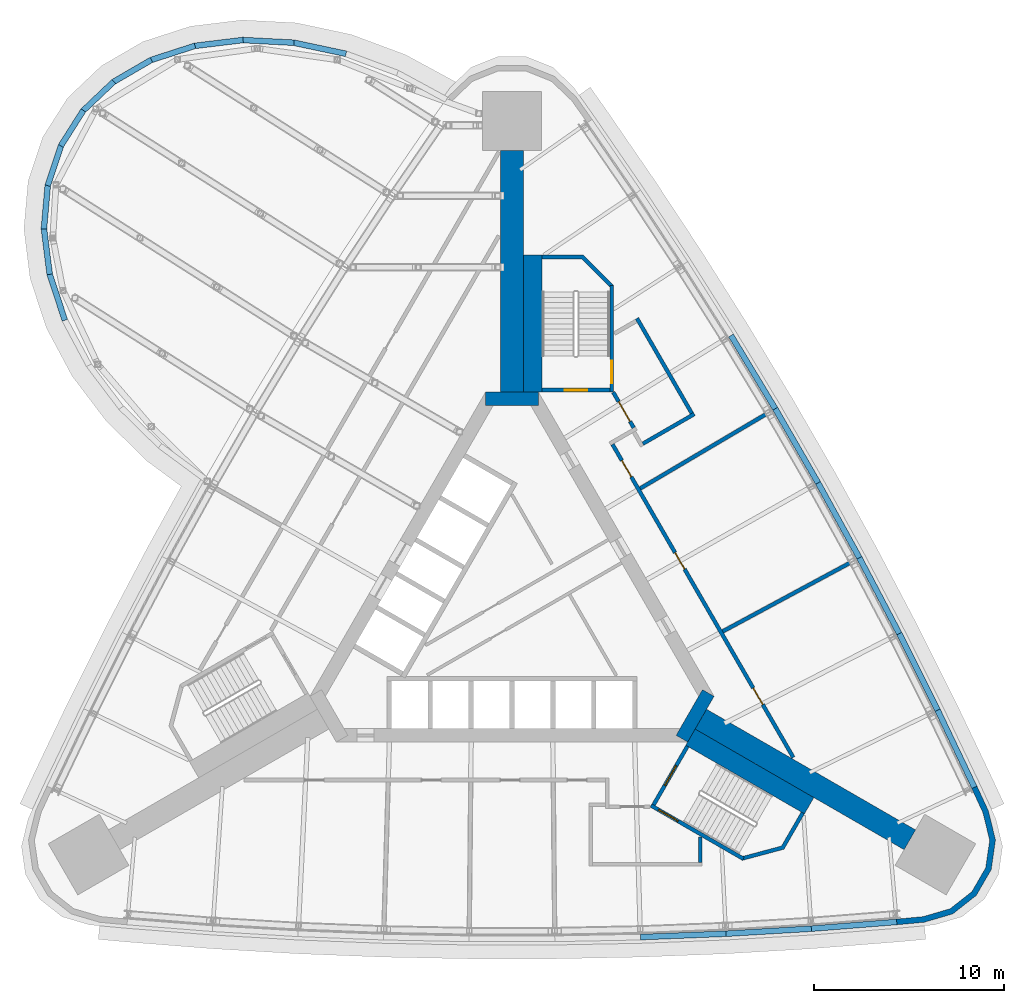
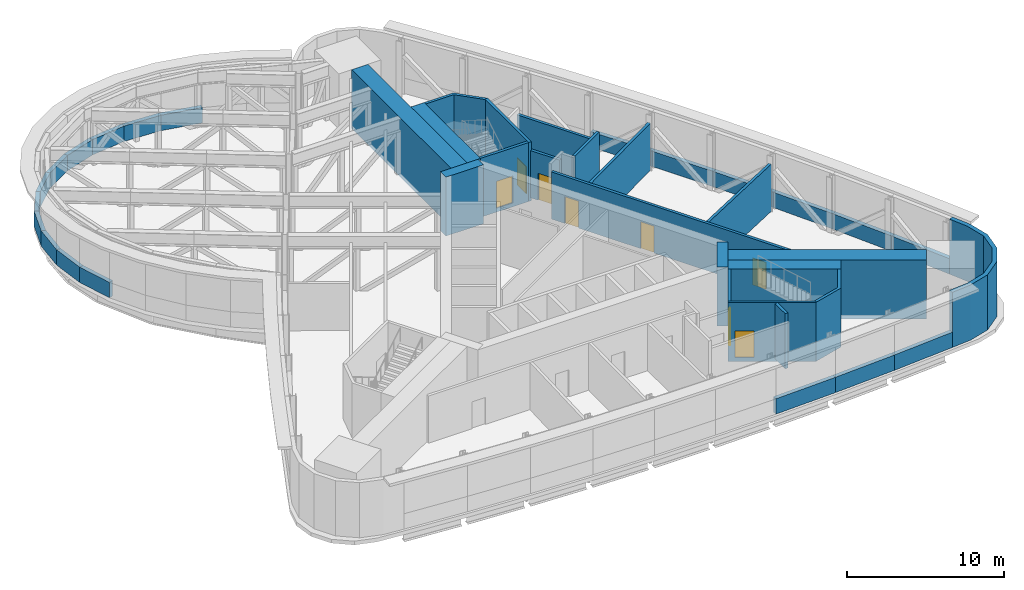
# One storey, part 8 of 11: 40 walls, 8 doors, 8 openings.
"""IFC4 building model written with IfcOpenShell, lengths in metres."""

from ifc_helpers import new_model, si_unit, direction, frame, frame_2d, origin, place, context, subcontext, project, spatial, polyline, rectangle, outline, extrude, material, layer, layer_set, type_object, element, fill, save


model = new_model("IFC4")

# Units and contexts
model_context = context("Model", 3, precision=1e-05, world=origin(), true_north=direction((0.0, 1.0)))
body_context = subcontext(model_context, "Body", "Model", "MODEL_VIEW")
ifc_project = project(units=[si_unit("LENGTHUNIT", "METRE"), si_unit("AREAUNIT", "SQUARE_METRE"), si_unit("VOLUMEUNIT", "CUBIC_METRE"), si_unit("PLANEANGLEUNIT", "RADIAN"), si_unit("MASSUNIT", "GRAM", prefix="KILO")], contexts=[model_context])

# Site, building, storey
site_placement = place(None, origin())
site = spatial("IfcSite", under=ifc_project, at=site_placement, CompositionType="ELEMENT")
building_placement = place(site_placement, origin())
building = spatial("IfcBuilding", under=site, at=building_placement, Name="Noor Cloister Tower", CompositionType="ELEMENT")
storey_placement = place(building_placement, frame((0.0, 0.0, 87.0)))
storey = spatial("IfcBuildingStorey", under=building, at=storey_placement, Name="L22", CompositionType="ELEMENT", Elevation=87.0)

# Walls
ifc_material_1 = material(Name="Concrete C80/95", Category="concrete")
ifc_layer_1 = layer(ifc_material_1, 1.199951171875)
ifc_layer_set_1 = layer_set([ifc_layer_1], Name="Buttress wall 1200 C80/95")
wall_type_1 = type_object("IfcWallType", Name="Buttress wall 1200 C80/95", PredefinedType="SHEAR", material=ifc_layer_set_1)
wall_1_placement = place(storey_placement, frame((0.0, 11.456298828125, -0.300048828125), z_axis=(0.0, 0.0, 1.0), x_axis=(0.0, 1.0, 0.0)))
element("IfcWall", 1, at=wall_1_placement, inside=storey, type_object=wall_type_1, Name="Buttress wall N L22", PredefinedType="SHEAR", context=body_context, shape_type="SweptSolid", body=[
    extrude(rectangle(XDim=12.677734375, YDim=1.199951171875, at=frame_2d((6.3388671875, 0.0))), origin(), (0.0, 0.0, 1.0), 4.60009765625),
])
wall_2_placement = place(storey_placement, frame((9.921630859375, -5.728271484375, -0.300048828125), z_axis=(0.0, 0.0, 1.0), x_axis=(0.866029086277, -0.499993621681, 0.0)))
element("IfcWall", 2, at=wall_2_placement, inside=storey, type_object=wall_type_1, Name="Buttress wall SE L22", PredefinedType="SHEAR", context=body_context, shape_type="SweptSolid", body=[
    extrude(rectangle(XDim=12.677490234375, YDim=1.199951171875, at=frame_2d((6.3388671875, 0.0))), origin(), (0.0, 0.0, 1.0), 4.60009765625),
])
ifc_material_2 = material(Name="Concrete C80/95", Category="concrete")
ifc_layer_2 = layer(ifc_material_2, 0.699951171875)
ifc_layer_set_2 = layer_set([ifc_layer_2], Name="Core wall 700 C80/95")
wall_type_2 = type_object("IfcWallType", Name="Core wall 700 C80/95", PredefinedType="SHEAR", material=ifc_layer_set_2)
wall_3_placement = place(storey_placement, frame((8.925537109375, -6.753173828125, -0.300048828125), z_axis=(0.0, 0.0, 1.0), x_axis=(0.500042739161, 0.866000726912, 0.0)))
element("IfcWall", 3, at=wall_3_placement, inside=storey, type_object=wall_type_2, Name="Core wall L22 2", PredefinedType="SHEAR", context=body_context, shape_type="SweptSolid", body=[
    extrude(rectangle(XDim=2.771240234375, YDim=0.699951171875, at=frame_2d((1.3857421875, 0.0))), origin(), (0.0, 0.0, 1.0), 4.60009765625),
])
wall_4_placement = place(storey_placement, frame((1.3857421875, 11.1064453125, -0.300048828125), z_axis=(0.0, 0.0, 1.0), x_axis=(-1.0, 0.0, 0.0)))
element("IfcWall", 4, at=wall_4_placement, inside=storey, type_object=wall_type_2, Name="Core wall L22 4", PredefinedType="SHEAR", context=body_context, shape_type="SweptSolid", body=[
    extrude(rectangle(XDim=2.771484375, YDim=0.699951171875, at=frame_2d((1.3857421875, 0.0))), origin(), (0.0, 0.0, 1.0), 4.60009765625),
])
ifc_material_3 = material(Name="Limestone", Category="masonry")
ifc_layer_3 = layer(ifc_material_3, 0.300048828125)
ifc_layer_set_3 = layer_set([ifc_layer_3], Name="Limestone cladding 300")
wall_type_3 = type_object("IfcWallType", Name="Limestone cladding 300", PredefinedType="NOTDEFINED", material=ifc_layer_set_3)
wall_5_placement = place(storey_placement, origin())
element("IfcWall", 5, at=wall_5_placement, inside=storey, type_object=wall_type_3, Name="Limestone pier cladding L22 2.1", PredefinedType="NOTDEFINED", context=body_context, shape_type="SweptSolid", body=[
    extrude(outline(polyline([(20.2236328125, -16.53125), (21.65380859375, -16.399658203125), (23.1591796875, -15.958251953125), (24.392333984375, -14.988525390625), (25.1767578125, -13.630126953125), (25.399658203125, -12.077392578125), (25.029541015625, -10.552978515625), (24.42822265625, -9.24853515625), (24.15576171875, -9.3740234375), (24.744873046875, -10.652099609375), (25.094482421875, -12.092041015625), (24.887939453125, -13.5302734375), (24.161376953125, -14.78857421875), (23.019287109375, -15.6865234375), (21.597412109375, -16.103515625), (20.196044921875, -16.232421875), (20.2236328125, -16.53125)])), origin(), (0.0, 0.0, 1.0), 4.300048828125),
])
ifc_material_4 = material(Name="Limestone", Category="masonry")
ifc_layer_4 = layer(ifc_material_4, 0.300048828125)
ifc_layer_set_4 = layer_set([ifc_layer_4], Name="Limestone panel wall 300")
wall_type_4 = type_object("IfcWallType", Name="Limestone panel wall 300", PredefinedType="NOTDEFINED", material=ifc_layer_set_4)
wall_6_placement = place(storey_placement, origin())
element("IfcWall", 6, at=wall_6_placement, inside=storey, type_object=wall_type_4, Name="Limestone panel wall L22 1.3", PredefinedType="NOTDEFINED", context=body_context, shape_type="SweptSolid", body=[
    extrude(outline(polyline([(-8.68701171875, 29.370849609375), (-11.445556640625, 29.9580078125), (-11.508056640625, 29.66455078125), (-8.74951171875, 29.077392578125), (-8.68701171875, 29.370849609375)])), origin(), (0.0, 0.0, 1.0), 1.199951171875),
])
wall_7_placement = place(storey_placement, origin())
element("IfcWall", 7, at=wall_7_placement, inside=storey, type_object=wall_type_4, Name="Limestone panel wall L22 1.4", PredefinedType="NOTDEFINED", context=body_context, shape_type="SweptSolid", body=[
    extrude(outline(polyline([(-11.445556640625, 29.9580078125), (-14.147705078125, 30.098876953125), (-14.163330078125, 29.79931640625), (-11.461181640625, 29.658447265625), (-11.445556640625, 29.9580078125)])), origin(), (0.0, 0.0, 1.0), 1.199951171875),
])
wall_8_placement = place(storey_placement, origin())
element("IfcWall", 8, at=wall_8_placement, inside=storey, type_object=wall_type_4, Name="Limestone panel wall L22 1.5", PredefinedType="NOTDEFINED", context=body_context, shape_type="SweptSolid", body=[
    extrude(outline(polyline([(-14.147705078125, 30.098876953125), (-16.70166015625, 29.7890625), (-16.66552734375, 29.4912109375), (-14.111572265625, 29.80126953125), (-14.147705078125, 30.098876953125)])), origin(), (0.0, 0.0, 1.0), 1.199951171875),
])
wall_9_placement = place(storey_placement, origin())
element("IfcWall", 9, at=wall_9_placement, inside=storey, type_object=wall_type_4, Name="Limestone panel wall L22 1.6", PredefinedType="NOTDEFINED", context=body_context, shape_type="SweptSolid", body=[
    extrude(outline(polyline([(-16.70166015625, 29.7890625), (-19.02001953125, 29.03857421875), (-18.927734375, 28.753173828125), (-16.609130859375, 29.50341796875), (-16.70166015625, 29.7890625)])), origin(), (0.0, 0.0, 1.0), 1.199951171875),
])
wall_10_placement = place(storey_placement, origin())
element("IfcWall", 10, at=wall_10_placement, inside=storey, type_object=wall_type_4, Name="Limestone panel wall L22 1.7", PredefinedType="NOTDEFINED", context=body_context, shape_type="SweptSolid", body=[
    extrude(outline(polyline([(-19.02001953125, 29.03857421875), (-21.0244140625, 27.873291015625), (-20.87353515625, 27.61376953125), (-18.869384765625, 28.779052734375), (-19.02001953125, 29.03857421875)])), origin(), (0.0, 0.0, 1.0), 1.199951171875),
])
wall_11_placement = place(storey_placement, origin())
element("IfcWall", 11, at=wall_11_placement, inside=storey, type_object=wall_type_4, Name="Limestone panel wall L22 1.8", PredefinedType="NOTDEFINED", context=body_context, shape_type="SweptSolid", body=[
    extrude(outline(polyline([(-21.0244140625, 27.873291015625), (-22.646240234375, 26.332763671875), (-22.439453125, 26.115234375), (-20.81787109375, 27.65576171875), (-21.0244140625, 27.873291015625)])), origin(), (0.0, 0.0, 1.0), 1.199951171875),
])
wall_12_placement = place(storey_placement, origin())
element("IfcWall", 12, at=wall_12_placement, inside=storey, type_object=wall_type_4, Name="Limestone panel wall L22 1.9", PredefinedType="NOTDEFINED", context=body_context, shape_type="SweptSolid", body=[
    extrude(outline(polyline([(-22.646240234375, 26.332763671875), (-23.830078125, 24.469482421875), (-23.576904296875, 24.30859375), (-22.392822265625, 26.171875), (-22.646240234375, 26.332763671875)])), origin(), (0.0, 0.0, 1.0), 1.199951171875),
])
wall_13_placement = place(storey_placement, origin())
element("IfcWall", 13, at=wall_13_placement, inside=storey, type_object=wall_type_4, Name="Limestone panel wall L22 1.10", PredefinedType="NOTDEFINED", context=body_context, shape_type="SweptSolid", body=[
    extrude(outline(polyline([(-23.830078125, 24.469482421875), (-24.5361328125, 22.34716796875), (-24.25146484375, 22.25244140625), (-23.54541015625, 24.375), (-23.830078125, 24.469482421875)])), origin(), (0.0, 0.0, 1.0), 1.199951171875),
])
wall_14_placement = place(storey_placement, origin())
element("IfcWall", 14, at=wall_14_placement, inside=storey, type_object=wall_type_4, Name="Limestone panel wall L22 1.11", PredefinedType="NOTDEFINED", context=body_context, shape_type="SweptSolid", body=[
    extrude(outline(polyline([(-24.5361328125, 22.34716796875), (-24.739990234375, 20.03759765625), (-24.441162109375, 20.01123046875), (-24.2373046875, 22.32080078125), (-24.5361328125, 22.34716796875)])), origin(), (0.0, 0.0, 1.0), 1.199951171875),
])
wall_15_placement = place(storey_placement, origin())
element("IfcWall", 15, at=wall_15_placement, inside=storey, type_object=wall_type_4, Name="Limestone panel wall L22 1.12", PredefinedType="NOTDEFINED", context=body_context, shape_type="SweptSolid", body=[
    extrude(outline(polyline([(-24.739990234375, 20.03759765625), (-24.434814453125, 17.619873046875), (-24.13720703125, 17.657470703125), (-24.4423828125, 20.0751953125), (-24.739990234375, 20.03759765625)])), origin(), (0.0, 0.0, 1.0), 1.199951171875),
])
wall_16_placement = place(storey_placement, origin())
element("IfcWall", 16, at=wall_16_placement, inside=storey, type_object=wall_type_4, Name="Limestone panel wall L22 1.13", PredefinedType="NOTDEFINED", context=body_context, shape_type="SweptSolid", body=[
    extrude(outline(polyline([(-24.434814453125, 17.619873046875), (-23.631103515625, 15.17626953125), (-23.345947265625, 15.27001953125), (-24.14990234375, 17.713623046875), (-24.434814453125, 17.619873046875)])), origin(), (0.0, 0.0, 1.0), 1.199951171875),
])
wall_17_placement = place(storey_placement, origin())
element("IfcWall", 17, at=wall_17_placement, inside=storey, type_object=wall_type_4, Name="Limestone panel wall L22 3.7", PredefinedType="NOTDEFINED", context=body_context, shape_type="SweptSolid", body=[
    extrude(outline(polyline([(6.7490234375, -17.327880859375), (11.245361328125, -17.150634765625), (11.233642578125, -16.85107421875), (6.7373046875, -17.028076171875), (6.7490234375, -17.327880859375)])), origin(), (0.0, 0.0, 1.0), 1.199951171875),
])
wall_18_placement = place(storey_placement, origin())
element("IfcWall", 18, at=wall_18_placement, inside=storey, type_object=wall_type_4, Name="Limestone panel wall L22 3.8", PredefinedType="NOTDEFINED", context=body_context, shape_type="SweptSolid", body=[
    extrude(outline(polyline([(11.245361328125, -17.150634765625), (15.737548828125, -16.88525390625), (15.7197265625, -16.585693359375), (11.227783203125, -16.851318359375), (11.245361328125, -17.150634765625)])), origin(), (0.0, 0.0, 1.0), 1.199951171875),
])
wall_19_placement = place(storey_placement, origin())
element("IfcWall", 19, at=wall_19_placement, inside=storey, type_object=wall_type_4, Name="Limestone panel wall L22 3.9", PredefinedType="NOTDEFINED", context=body_context, shape_type="SweptSolid", body=[
    extrude(outline(polyline([(15.737548828125, -16.88525390625), (20.2236328125, -16.53125), (20.199951171875, -16.232177734375), (15.7138671875, -16.586181640625), (15.737548828125, -16.88525390625)])), origin(), (0.0, 0.0, 1.0), 1.199951171875),
])
wall_20_placement = place(storey_placement, origin())
element("IfcWall", 20, at=wall_20_placement, inside=storey, type_object=wall_type_4, Name="Limestone panel wall L22 4.1", PredefinedType="NOTDEFINED", context=body_context, shape_type="SweptSolid", body=[
    extrude(outline(polyline([(24.42822265625, -9.24853515625), (22.49169921875, -5.1865234375), (22.220947265625, -5.315673828125), (24.157470703125, -9.377685546875), (24.42822265625, -9.24853515625)])), origin(), (0.0, 0.0, 1.0), 1.199951171875),
])
wall_21_placement = place(storey_placement, origin())
element("IfcWall", 21, at=wall_21_placement, inside=storey, type_object=wall_type_4, Name="Limestone panel wall L22 4.2", PredefinedType="NOTDEFINED", context=body_context, shape_type="SweptSolid", body=[
    extrude(outline(polyline([(22.49169921875, -5.1865234375), (20.475830078125, -1.16357421875), (20.20751953125, -1.2978515625), (22.2236328125, -5.321044921875), (22.49169921875, -5.1865234375)])), origin(), (0.0, 0.0, 1.0), 1.199951171875),
])
wall_22_placement = place(storey_placement, origin())
element("IfcWall", 22, at=wall_22_placement, inside=storey, type_object=wall_type_4, Name="Limestone panel wall L22 4.3", PredefinedType="NOTDEFINED", context=body_context, shape_type="SweptSolid", body=[
    extrude(outline(polyline([(20.475830078125, -1.16357421875), (18.380859375, 2.819091796875), (18.115478515625, 2.679443359375), (20.210205078125, -1.30322265625), (20.475830078125, -1.16357421875)])), origin(), (0.0, 0.0, 1.0), 1.199951171875),
])
wall_23_placement = place(storey_placement, origin())
element("IfcWall", 23, at=wall_23_placement, inside=storey, type_object=wall_type_4, Name="Limestone panel wall L22 4.4", PredefinedType="NOTDEFINED", context=body_context, shape_type="SweptSolid", body=[
    extrude(outline(polyline([(18.380859375, 2.819091796875), (16.2080078125, 6.759765625), (15.9453125, 6.61474609375), (18.1181640625, 2.67431640625), (18.380859375, 2.819091796875)])), origin(), (0.0, 0.0, 1.0), 1.199951171875),
])
wall_24_placement = place(storey_placement, origin())
element("IfcWall", 24, at=wall_24_placement, inside=storey, type_object=wall_type_4, Name="Limestone panel wall L22 4.5", PredefinedType="NOTDEFINED", context=body_context, shape_type="SweptSolid", body=[
    extrude(outline(polyline([(16.2080078125, 6.759765625), (13.9580078125, 10.65673828125), (13.6982421875, 10.5068359375), (15.9482421875, 6.609619140625), (16.2080078125, 6.759765625)])), origin(), (0.0, 0.0, 1.0), 1.199951171875),
])
wall_25_placement = place(storey_placement, origin())
element("IfcWall", 25, at=wall_25_placement, inside=storey, type_object=wall_type_4, Name="Limestone panel wall L22 4.6", PredefinedType="NOTDEFINED", context=body_context, shape_type="SweptSolid", body=[
    extrude(outline(polyline([(13.9580078125, 10.65673828125), (11.6318359375, 14.5087890625), (11.375, 14.353759765625), (13.701171875, 10.501708984375), (13.9580078125, 10.65673828125)])), origin(), (0.0, 0.0, 1.0), 1.199951171875),
])

# Wall, opening, door
ifc_material_5 = material(Name="Concrete C80/95", Category="concrete")
ifc_layer_5 = layer(ifc_material_5, 0.199951171875)
ifc_layer_set_5 = layer_set([ifc_layer_5], Name="Stair enclosure wall 200 C80/95")
wall_type_5 = type_object("IfcWallType", Name="Stair enclosure wall 200 C80/95", PredefinedType="SHEAR", material=ifc_layer_set_5)
wall_26_placement = place(storey_placement, frame((5.135498046875, 11.556396484375, -0.300048828125), z_axis=(0.0, 0.0, 1.0), x_axis=(-1.0, 0.0, 0.0)))
wall_26 = element("IfcWall", 26, at=wall_26_placement, inside=storey, type_object=wall_type_5, Name="Stair enclosure wall ST1 L22 near end", PredefinedType="SHEAR", context=body_context, shape_type="SweptSolid", body=[
    extrude(rectangle(XDim=3.5498046875, YDim=0.199951171875, at=frame_2d((1.77490234375, 0.0))), origin(), (0.0, 0.0, 1.0), 4.60009765625),
])
opening_1_placement = place(wall_26_placement, frame((1.175048828125, 0.0, 0.300048828125)))
opening_1 = element("IfcOpeningElement", 27, at=opening_1_placement, cuts=wall_26, Name="Opening L22-ST1L", PredefinedType="OPENING", context=body_context, shape_type="SweptSolid", body=[
    extrude(rectangle(XDim=1.199951171875, YDim=2.10009765625, at=frame_2d((0.60009765625, 1.050048828125))), frame((0.0, 0.10986328125, 0.0), z_axis=(0.0, -1.0, 0.0), x_axis=(1.0, 0.0, 0.0)), (0.0, 0.0, 1.0), 0.219970703125),
])
ifc_material_6 = material(Name="Steel", Category="steel")
door_type_1 = type_object("IfcDoorType", Name="Stair door 1200 x 2100 FD120", OperationType="SINGLE_SWING_LEFT", PredefinedType="DOOR", material=ifc_material_6)
door_1_placement = place(opening_1_placement, origin())
door_1 = element("IfcDoor", 28, at=door_1_placement, inside=storey, type_object=door_type_1, Name="Stair door ST1 L22", OperationType="SINGLE_SWING_RIGHT", OverallHeight=2.10009765625, OverallWidth=1.199951171875, PredefinedType="DOOR", context=body_context, shape_type="SweptSolid", body=[
    extrude(rectangle(XDim=1.199951171875, YDim=2.10009765625, at=frame_2d((0.60009765625, 1.050048828125))), frame((0.0, 0.02490234375, 0.0), z_axis=(0.0, -1.0, 0.0), x_axis=(1.0, 0.0, 0.0)), (0.0, 0.0, 1.0), 0.050048828125),
])
fill(opening_1, door_1)

wall_27_placement = place(storey_placement, frame((5.235595703125, 11.456298828125, -0.300048828125), z_axis=(0.0, 0.0, 1.0), x_axis=(0.0, 1.0, 0.0)))
wall_27 = element("IfcWall", 29, at=wall_27_placement, inside=storey, type_object=wall_type_5, Name="Stair enclosure wall ST1 L22 outer side", PredefinedType="SHEAR", context=body_context, shape_type="SweptSolid", body=[
    extrude(rectangle(XDim=5.60009765625, YDim=0.199951171875, at=frame_2d((2.800048828125, 0.0))), origin(), (0.0, 0.0, 1.0), 4.60009765625),
])
opening_2_placement = place(wall_27_placement, frame((0.449951171875, 0.0, 0.300048828125)))
opening_2 = element("IfcOpeningElement", 30, at=opening_2_placement, cuts=wall_27, Name="Opening L22-ST1C", PredefinedType="OPENING", context=body_context, shape_type="SweptSolid", body=[
    extrude(rectangle(XDim=1.199951171875, YDim=2.10009765625, at=frame_2d((0.60009765625, 1.050048828125))), frame((0.0, 0.10986328125, 0.0), z_axis=(0.0, -1.0, 0.0), x_axis=(1.0, 0.0, 0.0)), (0.0, 0.0, 1.0), 0.219970703125),
])
door_2_placement = place(opening_2_placement, origin())
door_2 = element("IfcDoor", 31, at=door_2_placement, inside=storey, type_object=door_type_1, Name="Stair door ST1 L22", OperationType="SINGLE_SWING_LEFT", OverallHeight=2.10009765625, OverallWidth=1.199951171875, PredefinedType="DOOR", context=body_context, shape_type="SweptSolid", body=[
    extrude(rectangle(XDim=1.199951171875, YDim=2.10009765625, at=frame_2d((0.60009765625, 1.050048828125))), frame((0.0, 0.02490234375, 0.0), z_axis=(0.0, -1.0, 0.0), x_axis=(1.0, 0.0, 0.0)), (0.0, 0.0, 1.0), 0.050048828125),
])
fill(opening_2, door_2)

wall_28_placement = place(storey_placement, frame((7.440185546875, -10.225830078125, -0.300048828125), z_axis=(0.0, 0.0, 1.0), x_axis=(0.500022077904, 0.866012656725, 0.0)))
wall_28 = element("IfcWall", 32, at=wall_28_placement, inside=storey, type_object=wall_type_5, Name="Stair enclosure wall ST3 L22 near end", PredefinedType="SHEAR", context=body_context, shape_type="SweptSolid", body=[
    extrude(rectangle(XDim=3.550048828125, YDim=0.199951171875, at=frame_2d((1.77490234375, 0.0))), origin(), (0.0, 0.0, 1.0), 4.60009765625),
])
opening_3_placement = place(wall_28_placement, frame((1.175048828125, 0.0, 0.300048828125)))
opening_3 = element("IfcOpeningElement", 33, at=opening_3_placement, cuts=wall_28, Name="Opening L22-ST3L", PredefinedType="OPENING", context=body_context, shape_type="SweptSolid", body=[
    extrude(rectangle(XDim=1.199951171875, YDim=2.10009765625, at=frame_2d((0.60009765625, 1.050048828125))), frame((0.0, 0.10986328125, 0.0), z_axis=(0.0, -1.0, 0.0), x_axis=(1.0, 0.0, 0.0)), (0.0, 0.0, 1.0), 0.219970703125),
])
door_3_placement = place(opening_3_placement, origin())
door_3 = element("IfcDoor", 34, at=door_3_placement, inside=storey, type_object=door_type_1, Name="Stair door ST3 L22", OperationType="SINGLE_SWING_RIGHT", OverallHeight=2.10009765625, OverallWidth=1.199951171875, PredefinedType="DOOR", context=body_context, shape_type="SweptSolid", body=[
    extrude(rectangle(XDim=1.199951171875, YDim=2.10009765625, at=frame_2d((0.60009765625, 1.050048828125))), frame((0.0, 0.02490234375, 0.0), z_axis=(0.0, -1.0, 0.0), x_axis=(1.0, 0.0, 0.0)), (0.0, 0.0, 1.0), 0.050048828125),
])
fill(opening_3, door_3)

wall_29_placement = place(storey_placement, frame((7.3037109375, -10.262451171875, -0.300048828125), z_axis=(0.0, 0.0, 1.0), x_axis=(0.866026594901, -0.49999793692, 0.0)))
wall_29 = element("IfcWall", 35, at=wall_29_placement, inside=storey, type_object=wall_type_5, Name="Stair enclosure wall ST3 L22 outer side", PredefinedType="SHEAR", context=body_context, shape_type="SweptSolid", body=[
    extrude(rectangle(XDim=5.60009765625, YDim=0.199951171875, at=frame_2d((2.800048828125, 0.0))), origin(), (0.0, 0.0, 1.0), 4.60009765625),
])
opening_4_placement = place(wall_29_placement, frame((0.449951171875, 0.0, 0.300048828125)))
opening_4 = element("IfcOpeningElement", 36, at=opening_4_placement, cuts=wall_29, Name="Opening L22-ST3C", PredefinedType="OPENING", context=body_context, shape_type="SweptSolid", body=[
    extrude(rectangle(XDim=1.199951171875, YDim=2.10009765625, at=frame_2d((0.60009765625, 1.050048828125))), frame((0.0, 0.10986328125, 0.0), z_axis=(0.0, -1.0, 0.0), x_axis=(1.0, 0.0, 0.0)), (0.0, 0.0, 1.0), 0.219970703125),
])
door_4_placement = place(opening_4_placement, origin())
door_4 = element("IfcDoor", 37, at=door_4_placement, inside=storey, type_object=door_type_1, Name="Stair door ST3 L22", OperationType="SINGLE_SWING_LEFT", OverallHeight=2.10009765625, OverallWidth=1.199951171875, PredefinedType="DOOR", context=body_context, shape_type="SweptSolid", body=[
    extrude(rectangle(XDim=1.199951171875, YDim=2.10009765625, at=frame_2d((0.60009765625, 1.050048828125))), frame((0.0, 0.02490234375, 0.0), z_axis=(0.0, -1.0, 0.0), x_axis=(1.0, 0.0, 0.0)), (0.0, 0.0, 1.0), 0.050048828125),
])
fill(opening_4, door_4)

# Walls
ifc_material_7 = material(Name="Concrete C80/95", Category="concrete")
ifc_layer_6 = layer(ifc_material_7, 0.986083984375)
ifc_layer_set_6 = layer_set([ifc_layer_6], Name="Stair enclosure wall 986 C80/95")
wall_type_6 = type_object("IfcWallType", Name="Stair enclosure wall 986 C80/95", PredefinedType="SHEAR", material=ifc_layer_set_6)
for number, where, z_axis, x_axis, name in (
    (38, (1.0927734375, 11.456298828125, -0.300048828125), (0.0, 0.0, 1.0), (0.0, 1.0, 0.0), "Stair enclosure wall ST1 L22 riser side"),
    (39, (9.375, -6.674560546875, -0.300048828125), (0.0, 0.0, 1.0), (0.866026919366, -0.499997374926, 0.0), "Stair enclosure wall ST3 L22 riser side"),
):
    element("IfcWall", number, at=place(storey_placement, frame(where, z_axis=z_axis, x_axis=x_axis)), inside=storey, type_object=wall_type_6, Name=name, PredefinedType="SHEAR", context=body_context, shape_type="SweptSolid", body=[
        extrude(rectangle(XDim=7.2001953125, YDim=0.985595703125, at=frame_2d((3.60009765625, 0.0))), origin(), (0.0, 0.0, 1.0), 4.60009765625),
    ])
ifc_material_8 = material(Name="Concrete C80/95", Category="concrete")
wall_type_7 = type_object("IfcWallType", Name="Stair far end wall C80/95", PredefinedType="SHEAR", material=ifc_material_8)
wall_30_placement = place(storey_placement, frame((0.0, 0.0, -0.300048828125)))
element("IfcWall", 40, at=wall_30_placement, inside=storey, type_object=wall_type_7, Name="Stair enclosure wall ST1 L22 far end", PredefinedType="SHEAR", context=body_context, shape_type="SweptSolid", body=[
    extrude(outline(polyline([(5.335693359375, 17.056396484375), (3.735595703125, 18.656494140625), (1.585693359375, 18.656494140625), (1.585693359375, 18.456298828125), (3.65283203125, 18.456298828125), (5.135498046875, 16.9736328125), (5.135498046875, 17.056396484375), (5.135498046875, 17.056396484375), (5.135498046875, 17.056396484375), (5.135498046875, 17.056396484375), (5.135498046875, 17.056396484375), (5.135498046875, 17.056396484375), (5.135498046875, 17.056396484375), (5.135498046875, 17.056396484375), (5.135498046875, 17.056396484375), (5.135498046875, 17.056396484375), (5.135498046875, 17.056396484375), (5.135498046875, 17.056396484375), (5.135498046875, 17.056396484375), (5.135498046875, 17.056396484375), (5.135498046875, 17.056396484375), (5.135498046875, 17.056396484375), (5.135498046875, 17.056396484375), (5.335693359375, 17.056396484375)])), origin(), (0.0, 0.0, 1.0), 4.60009765625),
])
wall_31_placement = place(storey_placement, frame((0.0, 0.0, -0.300048828125)))
element("IfcWall", 41, at=wall_31_placement, inside=storey, type_object=wall_type_7, Name="Stair enclosure wall ST3 L22 far end", PredefinedType="SHEAR", context=body_context, shape_type="SweptSolid", body=[
    extrude(outline(polyline([(12.103515625, -13.14892578125), (14.2890625, -12.5634765625), (15.364013671875, -10.701416015625), (15.19091796875, -10.601318359375), (14.1572265625, -12.3916015625), (12.131591796875, -12.934326171875), (12.20361328125, -12.975830078125), (12.20361328125, -12.975830078125), (12.20361328125, -12.975830078125), (12.20361328125, -12.975830078125), (12.20361328125, -12.975830078125), (12.20361328125, -12.975830078125), (12.20361328125, -12.975830078125), (12.20361328125, -12.975830078125), (12.20361328125, -12.975830078125), (12.20361328125, -12.975830078125), (12.20361328125, -12.975830078125), (12.20361328125, -12.975830078125), (12.20361328125, -12.975830078125), (12.20361328125, -12.975830078125), (12.20361328125, -12.975830078125), (12.20361328125, -12.975830078125), (12.20361328125, -12.975830078125), (12.103515625, -13.14892578125)])), origin(), (0.0, 0.0, 1.0), 4.60009765625),
])
ifc_material_9 = material(Name="Concrete block wall, 200 mm", Category="concrete")
ifc_layer_7 = layer(ifc_material_9, 0.199951171875)
ifc_layer_set_7 = layer_set([ifc_layer_7], Name="Upper floor plant room wall 200")
wall_type_8 = type_object("IfcWallType", Name="Upper floor plant room wall 200", PredefinedType="PARTITIONING", material=ifc_layer_set_7)
wall_32_placement = place(storey_placement, frame((9.892578125, -13.249755859375, 0.0), z_axis=(0.0, 0.0, 1.0), x_axis=(0.0, 1.0, 0.0)))
element("IfcWall", 42, at=wall_32_placement, inside=storey, type_object=wall_type_8, Name="Upper floor plant room wall 200 L22 013", PredefinedType="PARTITIONING", context=body_context, shape_type="SweptSolid", body=[
    extrude(rectangle(XDim=1.319580078125, YDim=0.199951171875, at=frame_2d((0.65966796875, 0.0))), origin(), (0.0, 0.0, 1.0), 4.300048828125),
])

# Wall, opening, door
wall_33_placement = place(storey_placement, frame((6.39453125, 9.580810546875, 0.0), z_axis=(0.0, 0.0, 1.0), x_axis=(-0.500003735859, 0.866023246874, 0.0)))
wall_33 = element("IfcWall", 43, at=wall_33_placement, inside=storey, type_object=wall_type_8, Name="Upper floor plant room wall 200 L22 016", PredefinedType="PARTITIONING", context=body_context, shape_type="SweptSolid", body=[
    extrude(rectangle(XDim=2.15380859375, YDim=0.199951171875, at=frame_2d((1.076904296875, 0.0))), origin(), (0.0, 0.0, 1.0), 3.677978515625),
])
opening_5_placement = place(wall_33_placement, frame((0.383056640625, 0.0, 0.0)))
opening_5 = element("IfcOpeningElement", 44, at=opening_5_placement, cuts=wall_33, Name="Opening L22-012", PredefinedType="OPENING", context=body_context, shape_type="SweptSolid", body=[
    extrude(rectangle(XDim=1.199951171875, YDim=2.10009765625, at=frame_2d((0.60009765625, 1.050048828125))), frame((0.0, 0.10986328125, 0.0), z_axis=(0.0, -1.0, 0.0), x_axis=(1.0, 0.0, 0.0)), (0.0, 0.0, 1.0), 0.219970703125),
])
ifc_material_10 = material(Name="Timber door leaf with steel frame", Category="steel")
door_type_2 = type_object("IfcDoorType", Name="Protected lobby door 1200", OperationType="NOTDEFINED", PredefinedType="DOOR", material=ifc_material_10)
door_5_placement = place(opening_5_placement, origin())
door_5 = element("IfcDoor", 45, at=door_5_placement, inside=storey, type_object=door_type_2, Name="Protected lobby door 1200 L22-012", OperationType="SINGLE_SWING_LEFT", OverallHeight=2.10009765625, OverallWidth=1.199951171875, PredefinedType="DOOR", context=body_context, shape_type="SweptSolid", body=[
    extrude(rectangle(XDim=1.199951171875, YDim=2.10009765625, at=frame_2d((0.60009765625, 1.050048828125))), frame((0.0, 0.02490234375, 0.0), z_axis=(0.0, -1.0, 0.0), x_axis=(1.0, 0.0, 0.0)), (0.0, 0.0, 1.0), 0.050048828125),
])
fill(opening_5, door_5)

# Wall, openings, doors
wall_34_placement = place(storey_placement, frame((5.281982421875, 8.70751953125, 0.0), z_axis=(0.0, 0.0, 1.0), x_axis=(0.500007704848, -0.866020955343, 0.0)))
wall_34 = element("IfcWall", 46, at=wall_34_placement, inside=storey, type_object=wall_type_8, Name="Upper floor plant room wall 200 L22 017", PredefinedType="PARTITIONING", context=body_context, shape_type="SweptSolid", body=[
    extrude(rectangle(XDim=18.990966796875, YDim=0.199951171875, at=frame_2d((9.49560546875, 0.0))), origin(), (0.0, 0.0, 1.0), 3.677978515625),
])
opening_6_placement = place(wall_34_placement, frame((14.78271484375, 0.0, 0.0)))
opening_6 = element("IfcOpeningElement", 47, at=opening_6_placement, cuts=wall_34, Name="Opening L22-009", PredefinedType="OPENING", context=body_context, shape_type="SweptSolid", body=[
    extrude(rectangle(XDim=1.0, YDim=2.10009765625, at=frame_2d((0.5, 1.050048828125))), frame((0.0, 0.10986328125, 0.0), z_axis=(0.0, -1.0, 0.0), x_axis=(1.0, 0.0, 0.0)), (0.0, 0.0, 1.0), 0.219970703125),
])
opening_7_placement = place(wall_34_placement, frame((6.5673828125, 0.0, 0.0)))
opening_7 = element("IfcOpeningElement", 48, at=opening_7_placement, cuts=wall_34, Name="Opening L22-010", PredefinedType="OPENING", context=body_context, shape_type="SweptSolid", body=[
    extrude(rectangle(XDim=1.0, YDim=2.10009765625, at=frame_2d((0.5, 1.050048828125))), frame((0.0, 0.10986328125, 0.0), z_axis=(0.0, -1.0, 0.0), x_axis=(1.0, 0.0, 0.0)), (0.0, 0.0, 1.0), 0.219970703125),
])
opening_8_placement = place(wall_34_placement, frame((0.978515625, 0.0, 0.0)))
opening_8 = element("IfcOpeningElement", 49, at=opening_8_placement, cuts=wall_34, Name="Opening L22-011", PredefinedType="OPENING", context=body_context, shape_type="SweptSolid", body=[
    extrude(rectangle(XDim=1.0, YDim=2.10009765625, at=frame_2d((0.5, 1.050048828125))), frame((0.0, 0.10986328125, 0.0), z_axis=(0.0, -1.0, 0.0), x_axis=(1.0, 0.0, 0.0)), (0.0, 0.0, 1.0), 0.219970703125),
])
ifc_material_11 = material(Name="Timber door leaf with steel frame", Category="steel")
door_type_3 = type_object("IfcDoorType", Name="Plant room door 1000", OperationType="NOTDEFINED", PredefinedType="DOOR", material=ifc_material_11)
door_6_placement = place(opening_6_placement, origin())
door_6 = element("IfcDoor", 50, at=door_6_placement, inside=storey, type_object=door_type_3, Name="Plant room door 1000 L22-009", OperationType="SINGLE_SWING_RIGHT", OverallHeight=2.10009765625, OverallWidth=1.0, PredefinedType="DOOR", context=body_context, shape_type="SweptSolid", body=[
    extrude(rectangle(XDim=1.0, YDim=2.10009765625, at=frame_2d((0.5, 1.050048828125))), frame((0.0, 0.02490234375, 0.0), z_axis=(0.0, -1.0, 0.0), x_axis=(1.0, 0.0, 0.0)), (0.0, 0.0, 1.0), 0.050048828125),
])
fill(opening_6, door_6)
door_7_placement = place(opening_7_placement, origin())
door_7 = element("IfcDoor", 51, at=door_7_placement, inside=storey, type_object=door_type_3, Name="Plant room door 1000 L22-010", OperationType="SINGLE_SWING_LEFT", OverallHeight=2.10009765625, OverallWidth=1.0, PredefinedType="DOOR", context=body_context, shape_type="SweptSolid", body=[
    extrude(rectangle(XDim=1.0, YDim=2.10009765625, at=frame_2d((0.5, 1.050048828125))), frame((0.0, 0.02490234375, 0.0), z_axis=(0.0, -1.0, 0.0), x_axis=(1.0, 0.0, 0.0)), (0.0, 0.0, 1.0), 0.050048828125),
])
fill(opening_7, door_7)
door_8_placement = place(opening_8_placement, origin())
door_8 = element("IfcDoor", 52, at=door_8_placement, inside=storey, type_object=door_type_3, Name="Plant room door 1000 L22-011", OperationType="SINGLE_SWING_LEFT", OverallHeight=2.10009765625, OverallWidth=1.0, PredefinedType="DOOR", context=body_context, shape_type="SweptSolid", body=[
    extrude(rectangle(XDim=1.0, YDim=2.10009765625, at=frame_2d((0.5, 1.050048828125))), frame((0.0, 0.02490234375, 0.0), z_axis=(0.0, -1.0, 0.0), x_axis=(1.0, 0.0, 0.0)), (0.0, 0.0, 1.0), 0.050048828125),
])
fill(opening_8, door_8)

# Walls
wall_35_placement = place(storey_placement, frame((11.0732421875, -1.116943359375, 0.0), z_axis=(0.0, 0.0, 1.0), x_axis=(0.880412298069, 0.474209010256, 0.0)))
element("IfcWall", 53, at=wall_35_placement, inside=storey, type_object=wall_type_8, Name="Upper floor plant room wall 200 L22 018", PredefinedType="PARTITIONING", context=body_context, shape_type="SweptSolid", body=[
    extrude(rectangle(XDim=7.60009765625, YDim=0.199951171875, at=frame_2d((3.800048828125, 0.0))), origin(), (0.0, 0.0, 1.0), 3.677978515625),
])
wall_36_placement = place(storey_placement, frame((6.73583984375, 6.3916015625, 0.0), z_axis=(0.0, 0.0, 1.0), x_axis=(0.861056110095, 0.508509955919, 0.0)))
element("IfcWall", 54, at=wall_36_placement, inside=storey, type_object=wall_type_8, Name="Upper floor plant room wall 200 L22 019", PredefinedType="PARTITIONING", context=body_context, shape_type="SweptSolid", body=[
    extrude(rectangle(XDim=7.6875, YDim=0.199951171875, at=frame_2d((3.84375, 0.0))), origin(), (0.0, 0.0, 1.0), 3.677978515625),
])
wall_37_placement = place(storey_placement, frame((6.877685546875, 8.743896484375, 0.0), z_axis=(0.0, 0.0, 1.0), x_axis=(0.866023983177, 0.500002460556, 0.0)))
element("IfcWall", 55, at=wall_37_placement, inside=storey, type_object=wall_type_8, Name="Upper floor plant room wall 200 L22 020", PredefinedType="PARTITIONING", context=body_context, shape_type="SweptSolid", body=[
    extrude(rectangle(XDim=3.11962890625, YDim=0.199951171875, at=frame_2d((1.559814453125, 0.0))), origin(), (0.0, 0.0, 1.0), 4.300048828125),
])
wall_38_placement = place(storey_placement, frame((6.566162109375, 15.326904296875, 0.0), z_axis=(0.0, 0.0, 1.0), x_axis=(0.499997778408, -0.866026686418, 0.0)))
element("IfcWall", 56, at=wall_38_placement, inside=storey, type_object=wall_type_8, Name="Upper floor plant room wall 200 L22 021", PredefinedType="PARTITIONING", context=body_context, shape_type="SweptSolid", body=[
    extrude(rectangle(XDim=5.7568359375, YDim=0.199951171875, at=frame_2d((2.87841796875, 0.0))), origin(), (0.0, 0.0, 1.0), 3.677978515625),
])

save(model, "model.ifc")
